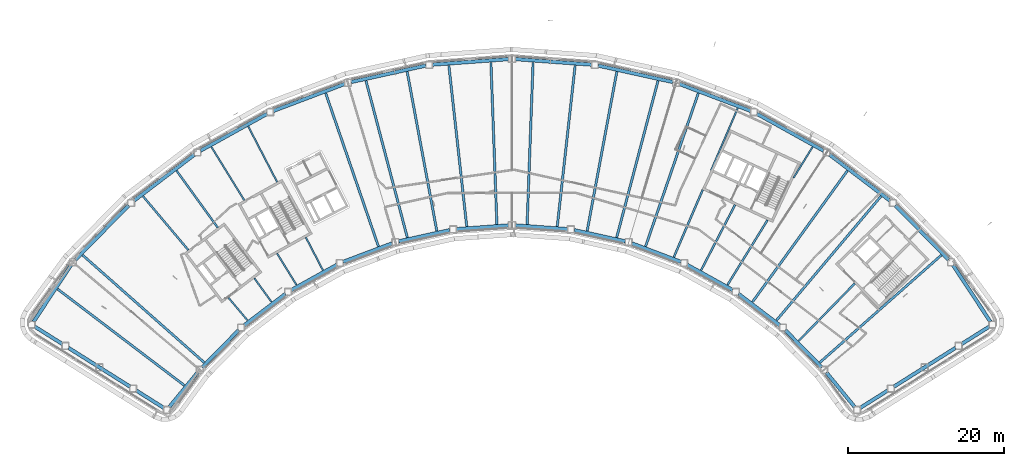
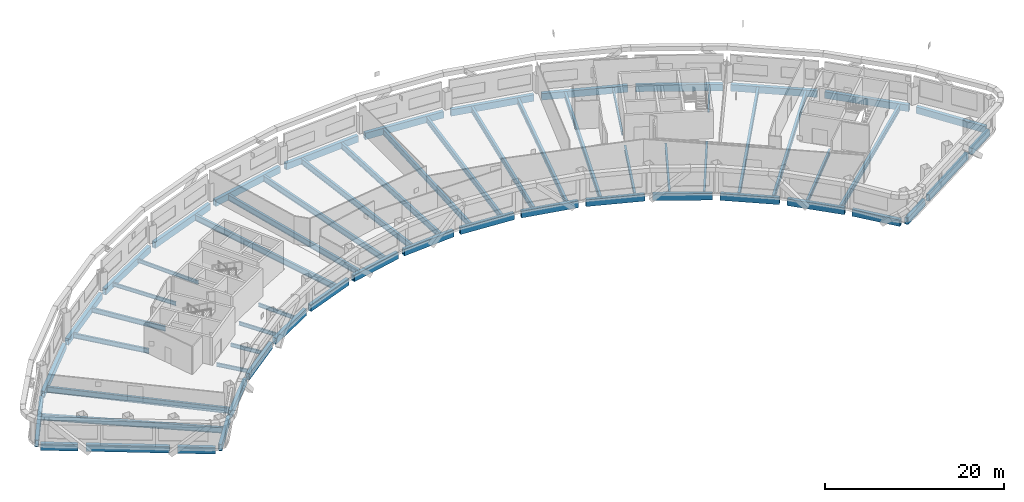
# One storey, part 3 of 20: 63 beams.
"""IFC4 building model written with IfcOpenShell, lengths in metres."""

from ifc_helpers import new_model, si_unit, direction, frame, origin, origin_2d, place, context, subcontext, project, spatial, hollow_rectangle, i_section, extrude, material, material_profile, profile_set, type_object, element, save


model = new_model("IFC4")

# Units and contexts
model_context = context("Model", 3, precision=1e-05, world=origin(), true_north=direction((0.0, 1.0)))
body_context = subcontext(model_context, "Body", "Model", "MODEL_VIEW")
ifc_project = project(units=[si_unit("LENGTHUNIT", "METRE"), si_unit("AREAUNIT", "SQUARE_METRE"), si_unit("VOLUMEUNIT", "CUBIC_METRE"), si_unit("PLANEANGLEUNIT", "RADIAN"), si_unit("MASSUNIT", "GRAM", prefix="KILO")], contexts=[model_context])

# Site, building, storey
site_placement = place(None, origin())
site = spatial("IfcSite", under=ifc_project, at=site_placement, CompositionType="ELEMENT")
building_placement = place(site_placement, origin())
building = spatial("IfcBuilding", under=site, at=building_placement, Name="Tuul Gate Civic Tower", CompositionType="ELEMENT")
storey_placement = place(building_placement, frame((0.0, 0.0, 197.300048828125)))
storey = spatial("IfcBuildingStorey", under=building, at=storey_placement, Name="Level 45", CompositionType="ELEMENT", Elevation=197.300048828125)

# Beams
ifc_material_1 = material(Name="Steel S355", Category="steel")
ifc_material_profile_1 = material_profile(ifc_material_1, i_section(OverallWidth=0.199951171875, OverallDepth=0.5, WebThickness=0.010009765625, FlangeThickness=0.01611328125, at=origin_2d()), Name="PG500x200x10x16")
ifc_profile_set_1 = profile_set([ifc_material_profile_1], Name="Steel S355")
beam_type_1 = type_object("IfcBeamType", Name="STR-FLOOR BEAM-PG500x200x10x16", PredefinedType="BEAM", material=ifc_profile_set_1)
beam_1_placement = place(storey_placement, frame((37.12646484375, -1.677734375, -0.550048828125), z_axis=(0.524844644299, 0.85119803768, 0.0), x_axis=(-0.85119803768, 0.524844644299, 0.0)))
element("IfcBeam", 1, at=beam_1_placement, inside=storey, type_object=beam_type_1, Name="Floor beam", PredefinedType="BEAM", context=body_context, shape_type="SweptSolid", body=[
    extrude(i_section(OverallWidth=0.199951171875, OverallDepth=0.5, WebThickness=0.010009765625, FlangeThickness=0.01611328125, at=origin_2d()), origin(), (0.0, 0.0, 1.0), 4.683837890625),
])
beam_2_placement = place(storey_placement, frame((26.525390625, -0.75048828125, -0.550048828125), z_axis=(0.394205580746, 0.919022284882, 0.0), x_axis=(-0.919022284882, 0.394205580746, 0.0)))
element("IfcBeam", 2, at=beam_2_placement, inside=storey, type_object=beam_type_1, Name="Floor beam", PredefinedType="BEAM", context=body_context, shape_type="SweptSolid", body=[
    extrude(i_section(OverallWidth=0.199951171875, OverallDepth=0.5, WebThickness=0.010009765625, FlangeThickness=0.01611328125, at=origin_2d()), origin(), (0.0, 0.0, 1.0), 8.748046875),
])
beam_3_placement = place(storey_placement, frame((-23.281494140625, -13.532958984375, -0.550048828125), z_axis=(-0.460788847224, 0.887509796157, 0.0), x_axis=(-0.887509796157, -0.460788847224, 0.0)))
element("IfcBeam", 3, at=beam_3_placement, inside=storey, type_object=beam_type_1, Name="Floor beam", PredefinedType="BEAM", context=body_context, shape_type="SweptSolid", body=[
    extrude(i_section(OverallWidth=0.199951171875, OverallDepth=0.5, WebThickness=0.010009765625, FlangeThickness=0.01611328125, at=origin_2d()), origin(), (0.0, 0.0, 1.0), 4.75830078125),
])
beam_4_placement = place(storey_placement, frame((-29.16162109375, -2.207275390625, -0.550048828125), z_axis=(-0.460778504814, 0.887515165787, 0.0), x_axis=(-0.887515165787, -0.460778504814, 0.0)))
element("IfcBeam", 4, at=beam_4_placement, inside=storey, type_object=beam_type_1, Name="Floor beam", PredefinedType="BEAM", context=body_context, shape_type="SweptSolid", body=[
    extrude(i_section(OverallWidth=0.199951171875, OverallDepth=0.5, WebThickness=0.010009765625, FlangeThickness=0.01611328125, at=origin_2d()), origin(), (0.0, 0.0, 1.0), 8.046630859375),
])
beam_5_placement = place(storey_placement, frame((-26.676513671875, -15.414306640625, -0.550048828125), z_axis=(-0.524841029393, 0.851200266603, 0.0), x_axis=(-0.851200266603, -0.524841029393, 0.0)))
element("IfcBeam", 5, at=beam_5_placement, inside=storey, type_object=beam_type_1, Name="Floor beam", PredefinedType="BEAM", context=body_context, shape_type="SweptSolid", body=[
    extrude(i_section(OverallWidth=0.199951171875, OverallDepth=0.5, WebThickness=0.010009765625, FlangeThickness=0.01611328125, at=origin_2d()), origin(), (0.0, 0.0, 1.0), 4.761474609375),
])
beam_6_placement = place(storey_placement, frame((-33.378662109375, -4.544677734375, -0.550048828125), z_axis=(-0.52487369229, 0.851180126143, 0.0), x_axis=(-0.851180126143, -0.52487369229, 0.0)))
element("IfcBeam", 6, at=beam_6_placement, inside=storey, type_object=beam_type_1, Name="Floor beam", PredefinedType="BEAM", context=body_context, shape_type="SweptSolid", body=[
    extrude(i_section(OverallWidth=0.199951171875, OverallDepth=0.5, WebThickness=0.010009765625, FlangeThickness=0.01611328125, at=origin_2d()), origin(), (0.0, 0.0, 1.0), 8.052001953125),
])
beam_7_placement = place(storey_placement, frame((-29.880126953125, -17.60546875, -0.550048828125), z_axis=(-0.586071028006, 0.810259680678, 0.0), x_axis=(-0.810259680678, -0.586071028006, 0.0)))
element("IfcBeam", 7, at=beam_7_placement, inside=storey, type_object=beam_type_1, Name="Floor beam", PredefinedType="BEAM", context=body_context, shape_type="SweptSolid", body=[
    extrude(i_section(OverallWidth=0.199951171875, OverallDepth=0.5, WebThickness=0.010009765625, FlangeThickness=0.01611328125, at=origin_2d()), origin(), (0.0, 0.0, 1.0), 3.776611328125),
])
beam_8_placement = place(storey_placement, frame((-32.96826171875, -19.95703125, -0.550048828125), z_axis=(-0.644139723265, 0.764907848641, 0.0), x_axis=(-0.764907848641, -0.644139723265, 0.0)))
element("IfcBeam", 8, at=beam_8_placement, inside=storey, type_object=beam_type_1, Name="Floor beam", PredefinedType="BEAM", context=body_context, shape_type="SweptSolid", body=[
    extrude(i_section(OverallWidth=0.199951171875, OverallDepth=0.5, WebThickness=0.010009765625, FlangeThickness=0.01611328125, at=origin_2d()), origin(), (0.0, 0.0, 1.0), 3.7802734375),
])
ifc_material_2 = material(Name="Steel S355", Category="steel")
ifc_material_profile_2 = material_profile(ifc_material_2, i_section(OverallWidth=0.25, OverallDepth=0.64990234375, WebThickness=0.011962890625, FlangeThickness=0.02001953125, at=origin_2d()), Name="PG650x250x12x20")
ifc_profile_set_2 = profile_set([ifc_material_profile_2], Name="Steel S355")
beam_type_2 = type_object("IfcBeamType", Name="STR-FLOOR BEAM-PG650x250x12x20", PredefinedType="BEAM", material=ifc_profile_set_2)
beam_9_placement = place(storey_placement, frame((37.78857421875, -22.6025390625, -0.625), z_axis=(0.698688167973, 0.715426337182, 0.0), x_axis=(-0.715426337182, 0.698688167973, 0.0)))
element("IfcBeam", 9, at=beam_9_placement, inside=storey, type_object=beam_type_2, Name="Floor beam", PredefinedType="BEAM", context=body_context, shape_type="SweptSolid", body=[
    extrude(i_section(OverallWidth=0.25, OverallDepth=0.64990234375, WebThickness=0.011962890625, FlangeThickness=0.02001953125, at=origin_2d()), origin(), (0.0, 0.0, 1.0), 10.297607421875),
])
beam_10_placement = place(storey_placement, frame((28.656005859375, -15.41455078125, -0.625), z_axis=(0.524868843882, 0.851183115858, 0.0), x_axis=(-0.851183115858, 0.524868843882, 0.0)))
element("IfcBeam", 10, at=beam_10_placement, inside=storey, type_object=beam_type_2, Name="Floor beam", PredefinedType="BEAM", context=body_context, shape_type="SweptSolid", body=[
    extrude(i_section(OverallWidth=0.25, OverallDepth=0.64990234375, WebThickness=0.011962890625, FlangeThickness=0.02001953125, at=origin_2d()), origin(), (0.0, 0.0, 1.0), 9.79736328125),
])
beam_11_placement = place(storey_placement, frame((25.261474609375, -13.532958984375, -0.625), z_axis=(0.460764890878, 0.887522233713, 0.0), x_axis=(-0.887522233713, 0.460764890878, 0.0)))
element("IfcBeam", 11, at=beam_11_placement, inside=storey, type_object=beam_type_2, Name="Floor beam", PredefinedType="BEAM", context=body_context, shape_type="SweptSolid", body=[
    extrude(i_section(OverallWidth=0.25, OverallDepth=0.64990234375, WebThickness=0.011962890625, FlangeThickness=0.02001953125, at=origin_2d()), origin(), (0.0, 0.0, 1.0), 9.46923828125),
])
beam_12_placement = place(storey_placement, frame((21.7666015625, -11.84521484375, -0.625), z_axis=(0.394179109601, 0.919033638968, 0.0), x_axis=(-0.919033638968, 0.394179109601, 0.0)))
element("IfcBeam", 12, at=beam_12_placement, inside=storey, type_object=beam_type_2, Name="Floor beam", PredefinedType="BEAM", context=body_context, shape_type="SweptSolid", body=[
    extrude(i_section(OverallWidth=0.25, OverallDepth=0.64990234375, WebThickness=0.011962890625, FlangeThickness=0.02001953125, at=origin_2d()), origin(), (0.0, 0.0, 1.0), 9.41259765625),
])
beam_13_placement = place(storey_placement, frame((-36.783447265625, -8.061767578125, -0.625), z_axis=(-0.586088809685, 0.810246818668, 0.0), x_axis=(-0.810246818668, -0.586088809685, 0.0)))
element("IfcBeam", 13, at=beam_13_placement, inside=storey, type_object=beam_type_2, Name="Floor beam", PredefinedType="BEAM", context=body_context, shape_type="SweptSolid", body=[
    extrude(i_section(OverallWidth=0.25, OverallDepth=0.64990234375, WebThickness=0.011962890625, FlangeThickness=0.02001953125, at=origin_2d()), origin(), (0.0, 0.0, 1.0), 9.02685546875),
])
beam_14_placement = place(storey_placement, frame((-40.5625, -10.93896484375, -0.625), z_axis=(-0.644130753202, 0.764915402368, 0.0), x_axis=(-0.764915402368, -0.644130753202, 0.0)))
element("IfcBeam", 14, at=beam_14_placement, inside=storey, type_object=beam_type_2, Name="Floor beam", PredefinedType="BEAM", context=body_context, shape_type="SweptSolid", body=[
    extrude(i_section(OverallWidth=0.25, OverallDepth=0.64990234375, WebThickness=0.011962890625, FlangeThickness=0.02001953125, at=origin_2d()), origin(), (0.0, 0.0, 1.0), 9.03515625),
])
ifc_material_3 = material(Name="Steel S355", Category="steel")
ifc_material_profile_3 = material_profile(ifc_material_3, i_section(OverallWidth=0.300048828125, OverallDepth=0.800048828125, WebThickness=0.013916015625, FlangeThickness=0.02490234375, at=origin_2d()), Name="PG800x300x14x25")
ifc_profile_set_3 = profile_set([ifc_material_profile_3], Name="Steel S355")
beam_type_3 = type_object("IfcBeamType", Name="STR-FLOOR BEAM-PG800x300x14x25", PredefinedType="BEAM", material=ifc_profile_set_3)
beam_15_placement = place(storey_placement, frame((40.505615234375, -25.375, -0.699951171875), z_axis=(0.749453243269, 0.662057275584, 0.0), x_axis=(-0.662057275584, 0.749453243269, 0.0)))
element("IfcBeam", 15, at=beam_15_placement, inside=storey, type_object=beam_type_3, Name="Floor beam", PredefinedType="BEAM", context=body_context, shape_type="SweptSolid", body=[
    extrude(i_section(OverallWidth=0.300048828125, OverallDepth=0.800048828125, WebThickness=0.013916015625, FlangeThickness=0.02490234375, at=origin_2d()), origin(), (0.0, 0.0, 1.0), 20.828369140625),
])
beam_16_placement = place(storey_placement, frame((34.9482421875, -19.95703125, -0.699951171875), z_axis=(0.644134662718, 0.76491211017, 0.0), x_axis=(-0.76491211017, 0.644134662718, 0.0)))
element("IfcBeam", 16, at=beam_16_placement, inside=storey, type_object=beam_type_3, Name="Floor beam", PredefinedType="BEAM", context=body_context, shape_type="SweptSolid", body=[
    extrude(i_section(OverallWidth=0.300048828125, OverallDepth=0.800048828125, WebThickness=0.013916015625, FlangeThickness=0.02490234375, at=origin_2d()), origin(), (0.0, 0.0, 1.0), 20.824462890625),
])
beam_17_placement = place(storey_placement, frame((31.859619140625, -17.605712890625, -0.699951171875), z_axis=(0.586088482084, 0.810247055637, 0.0), x_axis=(-0.810247055637, 0.586088482084, 0.0)))
element("IfcBeam", 17, at=beam_17_placement, inside=storey, type_object=beam_type_3, Name="Floor beam", PredefinedType="BEAM", context=body_context, shape_type="SweptSolid", body=[
    extrude(i_section(OverallWidth=0.300048828125, OverallDepth=0.800048828125, WebThickness=0.013916015625, FlangeThickness=0.02490234375, at=origin_2d()), origin(), (0.0, 0.0, 1.0), 20.805908203125),
])
beam_18_placement = place(storey_placement, frame((18.13623046875, -10.472412109375, -0.699951171875), z_axis=(0.325483363772, 0.945547767121, 0.0), x_axis=(-0.945547767121, 0.325483363772, 0.0)))
element("IfcBeam", 18, at=beam_18_placement, inside=storey, type_object=beam_type_3, Name="Floor beam", PredefinedType="BEAM", context=body_context, shape_type="SweptSolid", body=[
    extrude(i_section(OverallWidth=0.300048828125, OverallDepth=0.800048828125, WebThickness=0.013916015625, FlangeThickness=0.02490234375, at=origin_2d()), origin(), (0.0, 0.0, 1.0), 20.8095703125),
])
beam_19_placement = place(storey_placement, frame((14.428466796875, -9.325927734375, -0.699951171875), z_axis=(0.255004720301, 0.96693980817, 0.0), x_axis=(-0.96693980817, 0.255004720301, 0.0)))
element("IfcBeam", 19, at=beam_19_placement, inside=storey, type_object=beam_type_3, Name="Floor beam", PredefinedType="BEAM", context=body_context, shape_type="SweptSolid", body=[
    extrude(i_section(OverallWidth=0.300048828125, OverallDepth=0.800048828125, WebThickness=0.013916015625, FlangeThickness=0.02490234375, at=origin_2d()), origin(), (0.0, 0.0, 1.0), 20.817626953125),
])
beam_20_placement = place(storey_placement, frame((10.638427734375, -8.49072265625, -0.699951171875), z_axis=(0.183147342328, 0.98308547492, 0.0), x_axis=(-0.98308547492, 0.183147342328, 0.0)))
element("IfcBeam", 20, at=beam_20_placement, inside=storey, type_object=beam_type_3, Name="Floor beam", PredefinedType="BEAM", context=body_context, shape_type="SweptSolid", body=[
    extrude(i_section(OverallWidth=0.300048828125, OverallDepth=0.800048828125, WebThickness=0.013916015625, FlangeThickness=0.02490234375, at=origin_2d()), origin(), (0.0, 0.0, 1.0), 20.811279296875),
])
beam_21_placement = place(storey_placement, frame((6.80126953125, -7.91064453125, -0.699951171875), z_axis=(0.1102757583, 0.993901029847, 0.0), x_axis=(-0.993901029847, 0.1102757583, 0.0)))
element("IfcBeam", 21, at=beam_21_placement, inside=storey, type_object=beam_type_3, Name="Floor beam", PredefinedType="BEAM", context=body_context, shape_type="SweptSolid", body=[
    extrude(i_section(OverallWidth=0.300048828125, OverallDepth=0.800048828125, WebThickness=0.013916015625, FlangeThickness=0.02490234375, at=origin_2d()), origin(), (0.0, 0.0, 1.0), 20.815185546875),
])
for number, where, z_axis, x_axis, name in (
    (22, (2.930419921875, -7.630126953125, -0.699951171875), (0.036820332995, 0.99932190163, 0.0), (-0.99932190163, 0.036820332995, 0.0), "Floor beam"),
    (23, (-0.950439453125, -7.630126953125, -0.699951171875), (-0.036832047042, 0.999321469954, 0.0), (-0.999321469954, -0.036832047042, 0.0), "Floor beam"),
):
    element("IfcBeam", number, at=place(storey_placement, frame(where, z_axis=z_axis, x_axis=x_axis)), inside=storey, type_object=beam_type_3, Name=name, PredefinedType="BEAM", context=body_context, shape_type="SweptSolid", body=[
        extrude(i_section(OverallWidth=0.300048828125, OverallDepth=0.800048828125, WebThickness=0.013916015625, FlangeThickness=0.02490234375, at=origin_2d()), origin(), (0.0, 0.0, 1.0), 20.8134765625),
    ])
beam_22_placement = place(storey_placement, frame((-4.8212890625, -7.91064453125, -0.699951171875), z_axis=(-0.110287344613, 0.993899744249, 0.0), x_axis=(-0.993899744249, -0.110287344613, 0.0)))
element("IfcBeam", 24, at=beam_22_placement, inside=storey, type_object=beam_type_3, Name="Floor beam", PredefinedType="BEAM", context=body_context, shape_type="SweptSolid", body=[
    extrude(i_section(OverallWidth=0.300048828125, OverallDepth=0.800048828125, WebThickness=0.013916015625, FlangeThickness=0.02490234375, at=origin_2d()), origin(), (0.0, 0.0, 1.0), 20.815185546875),
])
beam_23_placement = place(storey_placement, frame((-8.658447265625, -8.49072265625, -0.699951171875), z_axis=(-0.183145230157, 0.983085868412, 0.0), x_axis=(-0.983085868412, -0.183145230157, 0.0)))
element("IfcBeam", 25, at=beam_23_placement, inside=storey, type_object=beam_type_3, Name="Floor beam", PredefinedType="BEAM", context=body_context, shape_type="SweptSolid", body=[
    extrude(i_section(OverallWidth=0.300048828125, OverallDepth=0.800048828125, WebThickness=0.013916015625, FlangeThickness=0.02490234375, at=origin_2d()), origin(), (0.0, 0.0, 1.0), 20.8115234375),
])
beam_24_placement = place(storey_placement, frame((-12.44873046875, -9.325927734375, -0.699951171875), z_axis=(-0.255004720301, 0.96693980817, 0.0), x_axis=(-0.96693980817, -0.255004720301, 0.0)))
element("IfcBeam", 26, at=beam_24_placement, inside=storey, type_object=beam_type_3, Name="Floor beam", PredefinedType="BEAM", context=body_context, shape_type="SweptSolid", body=[
    extrude(i_section(OverallWidth=0.300048828125, OverallDepth=0.800048828125, WebThickness=0.013916015625, FlangeThickness=0.02490234375, at=origin_2d()), origin(), (0.0, 0.0, 1.0), 20.817626953125),
])
beam_25_placement = place(storey_placement, frame((-16.15625, -10.47265625, -0.699951171875), z_axis=(-0.325493852911, 0.945544156408, 0.0), x_axis=(-0.945544156408, -0.325493852911, 0.0)))
element("IfcBeam", 27, at=beam_25_placement, inside=storey, type_object=beam_type_3, Name="Floor beam", PredefinedType="BEAM", context=body_context, shape_type="SweptSolid", body=[
    extrude(i_section(OverallWidth=0.300048828125, OverallDepth=0.800048828125, WebThickness=0.013916015625, FlangeThickness=0.02490234375, at=origin_2d()), origin(), (0.0, 0.0, 1.0), 20.809814453125),
])
beam_26_placement = place(storey_placement, frame((-38.525634765625, -25.375, -0.699951171875), z_axis=(-0.749453243269, 0.662057275584, 0.0), x_axis=(-0.662057275584, -0.749453243269, 0.0)))
element("IfcBeam", 28, at=beam_26_placement, inside=storey, type_object=beam_type_3, Name="Floor beam", PredefinedType="BEAM", context=body_context, shape_type="SweptSolid", body=[
    extrude(i_section(OverallWidth=0.300048828125, OverallDepth=0.800048828125, WebThickness=0.013916015625, FlangeThickness=0.02490234375, at=origin_2d()), origin(), (0.0, 0.0, 1.0), 20.828369140625),
])
beam_27_placement = place(storey_placement, frame((-41.064697265625, -28.31982421875, -0.699951171875), z_axis=(-0.796156676215, 0.60509052787, 0.0), x_axis=(-0.60509052787, -0.796156676215, 0.0)))
element("IfcBeam", 29, at=beam_27_placement, inside=storey, type_object=beam_type_3, Name="Floor beam", PredefinedType="BEAM", context=body_context, shape_type="SweptSolid", body=[
    extrude(i_section(OverallWidth=0.300048828125, OverallDepth=0.800048828125, WebThickness=0.013916015625, FlangeThickness=0.02490234375, at=origin_2d()), origin(), (0.0, 0.0, 1.0), 20.46240234375),
])
ifc_material_4 = material(Name="Steel S355", Category="steel")
ifc_material_profile_4 = material_profile(ifc_material_4, hollow_rectangle(XDim=0.449951171875, YDim=0.89990234375, WallThickness=0.02490234375, at=origin_2d()), Name="BOX900x450x25")
ifc_profile_set_4 = profile_set([ifc_material_profile_4], Name="Steel S355")
beam_type_4 = type_object("IfcBeamType", Name="STR-SPANDREL BEAM-BOX900x450x25", PredefinedType="BEAM", material=ifc_profile_set_4)
beam_28_placement = place(storey_placement, frame((62.412841796875, -20.1376953125, -0.75), z_axis=(-0.551603333342, 0.834106565521, 0.0), x_axis=(-0.834106565521, -0.551603333342, 0.0)))
element("IfcBeam", 30, at=beam_28_placement, inside=storey, type_object=beam_type_4, Name="Spandrel beam", PredefinedType="BEAM", context=body_context, shape_type="SweptSolid", body=[
    extrude(hollow_rectangle(XDim=0.449951171875, YDim=0.89990234375, WallThickness=0.02490234375, at=origin_2d()), origin(), (0.0, 0.0, 1.0), 8.706787109375),
])
beam_29_placement = place(storey_placement, frame((57.046875, -12.1787109375, -0.75), z_axis=(-0.700043201451, 0.7141004944, 0.0), x_axis=(-0.7141004944, -0.700043201451, 0.0)))
element("IfcBeam", 31, at=beam_29_placement, inside=storey, type_object=beam_type_4, Name="Spandrel beam", PredefinedType="BEAM", context=body_context, shape_type="SweptSolid", body=[
    extrude(hollow_rectangle(XDim=0.449951171875, YDim=0.89990234375, WallThickness=0.02490234375, at=origin_2d()), origin(), (0.0, 0.0, 1.0), 9.77783203125),
])
for number, where, z_axis, x_axis, name in (
    (32, (49.529052734375, -4.602294921875, -0.75), (-0.795643188576, 0.605765562303, 0.0), (-0.605765562303, -0.795643188576, 0.0), "Spandrel beam"),
    (33, (40.99853515625, 1.811279296875, -0.75), (-0.874595083596, 0.484854039634, 0.0), (-0.484854039634, -0.874595083596, 0.0), "Spandrel beam"),
):
    element("IfcBeam", number, at=place(storey_placement, frame(where, z_axis=z_axis, x_axis=x_axis)), inside=storey, type_object=beam_type_4, Name=name, PredefinedType="BEAM", context=body_context, shape_type="SweptSolid", body=[
        extrude(hollow_rectangle(XDim=0.449951171875, YDim=0.89990234375, WallThickness=0.02490234375, at=origin_2d()), origin(), (0.0, 0.0, 1.0), 9.777099609375),
    ])
beam_30_placement = place(storey_placement, frame((31.633056640625, 6.92919921875, -0.75), z_axis=(-0.935371339929, 0.353667154878, 0.0), x_axis=(-0.353667154878, -0.935371339929, 0.0)))
element("IfcBeam", 34, at=beam_30_placement, inside=storey, type_object=beam_type_4, Name="Spandrel beam", PredefinedType="BEAM", context=body_context, shape_type="SweptSolid", body=[
    extrude(hollow_rectangle(XDim=0.449951171875, YDim=0.89990234375, WallThickness=0.02490234375, at=origin_2d()), origin(), (0.0, 0.0, 1.0), 9.77685546875),
])
beam_31_placement = place(storey_placement, frame((21.62744140625, 10.642822265625, -0.75), z_axis=(-0.976570324129, 0.215198517722, 0.0), x_axis=(-0.215198517722, -0.976570324129, 0.0)))
element("IfcBeam", 35, at=beam_31_placement, inside=storey, type_object=beam_type_4, Name="Spandrel beam", PredefinedType="BEAM", context=body_context, shape_type="SweptSolid", body=[
    extrude(hollow_rectangle(XDim=0.449951171875, YDim=0.89990234375, WallThickness=0.02490234375, at=origin_2d()), origin(), (0.0, 0.0, 1.0), 9.778076171875),
])
beam_32_placement = place(storey_placement, frame((11.190185546875, 12.87646484375, -0.75), z_axis=(-0.997381821188, 0.07231530104, 0.0), x_axis=(-0.07231530104, -0.997381821188, 0.0)))
element("IfcBeam", 36, at=beam_32_placement, inside=storey, type_object=beam_type_4, Name="Spandrel beam", PredefinedType="BEAM", context=body_context, shape_type="SweptSolid", body=[
    extrude(hollow_rectangle(XDim=0.449951171875, YDim=0.89990234375, WallThickness=0.02490234375, at=origin_2d()), origin(), (0.0, 0.0, 1.0), 9.777099609375),
])
beam_33_placement = place(storey_placement, frame((0.541259765625, 13.58349609375, -0.75), z_axis=(-0.997382343448, -0.072308097597, 0.0), x_axis=(0.072308097597, -0.997382343448, 0.0)))
element("IfcBeam", 37, at=beam_33_placement, inside=storey, type_object=beam_type_4, Name="Spandrel beam", PredefinedType="BEAM", context=body_context, shape_type="SweptSolid", body=[
    extrude(hollow_rectangle(XDim=0.449951171875, YDim=0.89990234375, WallThickness=0.02490234375, at=origin_2d()), origin(), (0.0, 0.0, 1.0), 9.778076171875),
])
for number, where, z_axis, x_axis, name in (
    (38, (-10.099365234375, 12.7470703125, -0.75), (-0.976565698355, -0.215219508403, 0.0), (0.215219508403, -0.976565698355, 0.0), "Spandrel beam"),
    (39, (-20.5078125, 10.386962890625, -0.75), (-0.935374463229, -0.35365889433, 0.0), (0.35365889433, -0.935374463229, 0.0), "Spandrel beam"),
    (40, (-30.467529296875, 6.5517578125, -0.75), (-0.874595083596, -0.484854039634, 0.0), (0.484854039634, -0.874595083596, 0.0), "Spandrel beam"),
):
    element("IfcBeam", number, at=place(storey_placement, frame(where, z_axis=z_axis, x_axis=x_axis)), inside=storey, type_object=beam_type_4, Name=name, PredefinedType="BEAM", context=body_context, shape_type="SweptSolid", body=[
        extrude(hollow_rectangle(XDim=0.449951171875, YDim=0.89990234375, WallThickness=0.02490234375, at=origin_2d()), origin(), (0.0, 0.0, 1.0), 9.777099609375),
    ])
beam_34_placement = place(storey_placement, frame((-39.77001953125, 1.3203125, -0.75), z_axis=(-0.795667802621, -0.605733231606, 0.0), x_axis=(0.605733231606, -0.795667802621, 0.0)))
element("IfcBeam", 41, at=beam_34_placement, inside=storey, type_object=beam_type_4, Name="Spandrel beam", PredefinedType="BEAM", context=body_context, shape_type="SweptSolid", body=[
    extrude(hollow_rectangle(XDim=0.449951171875, YDim=0.89990234375, WallThickness=0.02490234375, at=origin_2d()), origin(), (0.0, 0.0, 1.0), 9.778076171875),
])
beam_35_placement = place(storey_placement, frame((-48.222900390625, -5.1962890625, -0.75), z_axis=(-0.699992266311, -0.714150423304, 0.0), x_axis=(0.714150423304, -0.699992266311, 0.0)))
element("IfcBeam", 42, at=beam_35_placement, inside=storey, type_object=beam_type_4, Name="Spandrel beam", PredefinedType="BEAM", context=body_context, shape_type="SweptSolid", body=[
    extrude(hollow_rectangle(XDim=0.449951171875, YDim=0.89990234375, WallThickness=0.02490234375, at=origin_2d()), origin(), (0.0, 0.0, 1.0), 9.77734375),
])
beam_36_placement = place(storey_placement, frame((-55.630126953125, -12.875244140625, -0.75), z_axis=(-0.551603333342, -0.834106565521, 0.0), x_axis=(0.834106565521, -0.551603333342, 0.0)))
element("IfcBeam", 43, at=beam_36_placement, inside=storey, type_object=beam_type_4, Name="Spandrel beam", PredefinedType="BEAM", context=body_context, shape_type="SweptSolid", body=[
    extrude(hollow_rectangle(XDim=0.449951171875, YDim=0.89990234375, WallThickness=0.02490234375, at=origin_2d()), origin(), (0.0, 0.0, 1.0), 8.706787109375),
])
beam_37_placement = place(storey_placement, frame((-60.30029296875, -20.752685546875, -0.75), z_axis=(0.846210678029, -0.53284846663, 0.0), x_axis=(0.53284846663, 0.846210678029, 0.0)))
element("IfcBeam", 44, at=beam_37_placement, inside=storey, type_object=beam_type_4, Name="Spandrel beam", PredefinedType="BEAM", context=body_context, shape_type="SweptSolid", body=[
    extrude(hollow_rectangle(XDim=0.449951171875, YDim=0.89990234375, WallThickness=0.02490234375, at=origin_2d()), origin(), (0.0, 0.0, 1.0), 4.231201171875),
])
beam_38_placement = place(storey_placement, frame((-55.958251953125, -23.48681640625, -0.75), z_axis=(0.846197569515, -0.532869283545, 0.0), x_axis=(0.532869283545, 0.846197569515, 0.0)))
element("IfcBeam", 45, at=beam_38_placement, inside=storey, type_object=beam_type_4, Name="Spandrel beam", PredefinedType="BEAM", context=body_context, shape_type="SweptSolid", body=[
    extrude(hollow_rectangle(XDim=0.449951171875, YDim=0.89990234375, WallThickness=0.02490234375, at=origin_2d()), origin(), (0.0, 0.0, 1.0), 9.363525390625),
])
beam_39_placement = place(storey_placement, frame((-47.273193359375, -28.955810546875, -0.75), z_axis=(0.846181780982, -0.532894354947, 0.0), x_axis=(0.532894354947, 0.846181780982, 0.0)))
element("IfcBeam", 46, at=beam_39_placement, inside=storey, type_object=beam_type_4, Name="Spandrel beam", PredefinedType="BEAM", context=body_context, shape_type="SweptSolid", body=[
    extrude(hollow_rectangle(XDim=0.449951171875, YDim=0.89990234375, WallThickness=0.02490234375, at=origin_2d()), origin(), (0.0, 0.0, 1.0), 4.232421875),
])
beam_40_placement = place(storey_placement, frame((-43.025634765625, -31.10302734375, -0.75), z_axis=(0.63441351957, 0.772993846151, 0.0), x_axis=(-0.772993846151, 0.63441351957, 0.0)))
element("IfcBeam", 47, at=beam_40_placement, inside=storey, type_object=beam_type_4, Name="Spandrel beam", PredefinedType="BEAM", context=body_context, shape_type="SweptSolid", body=[
    extrude(hollow_rectangle(XDim=0.449951171875, YDim=0.89990234375, WallThickness=0.02490234375, at=origin_2d()), origin(), (0.0, 0.0, 1.0), 5.751953125),
])
beam_41_placement = place(storey_placement, frame((-38.776123046875, -25.987548828125, -0.75), z_axis=(0.699975106634, 0.714167242383, 0.0), x_axis=(-0.714167242383, 0.699975106634, 0.0)))
element("IfcBeam", 48, at=beam_41_placement, inside=storey, type_object=beam_type_4, Name="Spandrel beam", PredefinedType="BEAM", context=body_context, shape_type="SweptSolid", body=[
    extrude(hollow_rectangle(XDim=0.449951171875, YDim=0.89990234375, WallThickness=0.02490234375, at=origin_2d()), origin(), (0.0, 0.0, 1.0), 6.69189453125),
])
for number, where, z_axis, x_axis, name in (
    (49, (-33.4189453125, -20.614501953125, -0.75), (0.795605051583, 0.605815650091, 0.0), (-0.605815650091, 0.795605051583, 0.0), "Spandrel beam"),
    (50, (-27.343505859375, -16.06982421875, -0.75), (0.87466619377, 0.48472574666, 0.0), (-0.48472574666, 0.87466619377, 0.0), "Spandrel beam"),
):
    element("IfcBeam", number, at=place(storey_placement, frame(where, z_axis=z_axis, x_axis=x_axis)), inside=storey, type_object=beam_type_4, Name=name, PredefinedType="BEAM", context=body_context, shape_type="SweptSolid", body=[
        extrude(hollow_rectangle(XDim=0.449951171875, YDim=0.89990234375, WallThickness=0.02490234375, at=origin_2d()), origin(), (0.0, 0.0, 1.0), 6.691650390625),
    ])
beam_42_placement = place(storey_placement, frame((-20.676025390625, -12.44873046875, -0.75), z_axis=(0.935376636167, 0.353653147184, 0.0), x_axis=(-0.353653147184, 0.935376636167, 0.0)))
element("IfcBeam", 51, at=beam_42_placement, inside=storey, type_object=beam_type_4, Name="Spandrel beam", PredefinedType="BEAM", context=body_context, shape_type="SweptSolid", body=[
    extrude(hollow_rectangle(XDim=0.449951171875, YDim=0.89990234375, WallThickness=0.02490234375, at=origin_2d()), origin(), (0.0, 0.0, 1.0), 6.69140625),
])
beam_43_placement = place(storey_placement, frame((-13.556640625, -9.826171875, -0.75), z_axis=(0.976559873442, 0.215245937437, 0.0), x_axis=(-0.215245937437, 0.976559873442, 0.0)))
element("IfcBeam", 52, at=beam_43_placement, inside=storey, type_object=beam_type_4, Name="Spandrel beam", PredefinedType="BEAM", context=body_context, shape_type="SweptSolid", body=[
    extrude(hollow_rectangle(XDim=0.449951171875, YDim=0.89990234375, WallThickness=0.02490234375, at=origin_2d()), origin(), (0.0, 0.0, 1.0), 6.692138671875),
])
beam_44_placement = place(storey_placement, frame((-6.133056640625, -8.25634765625, -0.75), z_axis=(0.997382203544, 0.07231002734, 0.0), x_axis=(-0.07231002734, 0.997382203544, 0.0)))
element("IfcBeam", 53, at=beam_44_placement, inside=storey, type_object=beam_type_4, Name="Spandrel beam", PredefinedType="BEAM", context=body_context, shape_type="SweptSolid", body=[
    extrude(hollow_rectangle(XDim=0.449951171875, YDim=0.89990234375, WallThickness=0.02490234375, at=origin_2d()), origin(), (0.0, 0.0, 1.0), 6.69189453125),
])
for number, where, z_axis, x_axis, name in (
    (54, (1.438720703125, -7.7724609375, -0.75), (0.997382394296, -0.072307396229, 0.0), (0.072307396229, 0.997382394296, 0.0), "Spandrel beam"),
    (55, (9.00146484375, -8.3857421875, -0.75), (0.976559873442, -0.215245937437, 0.0), (0.215245937437, 0.976559873442, 0.0), "Spandrel beam"),
):
    element("IfcBeam", number, at=place(storey_placement, frame(where, z_axis=z_axis, x_axis=x_axis)), inside=storey, type_object=beam_type_4, Name=name, PredefinedType="BEAM", context=body_context, shape_type="SweptSolid", body=[
        extrude(hollow_rectangle(XDim=0.449951171875, YDim=0.89990234375, WallThickness=0.02490234375, at=origin_2d()), origin(), (0.0, 0.0, 1.0), 6.692138671875),
    ])
beam_45_placement = place(storey_placement, frame((16.39697265625, -10.082275390625, -0.75), z_axis=(0.935376636167, -0.353653147184, 0.0), x_axis=(0.353653147184, 0.935376636167, 0.0)))
element("IfcBeam", 56, at=beam_45_placement, inside=storey, type_object=beam_type_4, Name="Spandrel beam", PredefinedType="BEAM", context=body_context, shape_type="SweptSolid", body=[
    extrude(hollow_rectangle(XDim=0.449951171875, YDim=0.89990234375, WallThickness=0.02490234375, at=origin_2d()), origin(), (0.0, 0.0, 1.0), 6.69140625),
])
beam_46_placement = place(storey_placement, frame((23.470458984375, -12.826171875, -0.75), z_axis=(0.874631898268, -0.484787626216, 0.0), x_axis=(0.484787626216, 0.874631898268, 0.0)))
element("IfcBeam", 57, at=beam_46_placement, inside=storey, type_object=beam_type_4, Name="Spandrel beam", PredefinedType="BEAM", context=body_context, shape_type="SweptSolid", body=[
    extrude(hollow_rectangle(XDim=0.449951171875, YDim=0.89990234375, WallThickness=0.02490234375, at=origin_2d()), origin(), (0.0, 0.0, 1.0), 6.69091796875),
])
beam_47_placement = place(storey_placement, frame((30.073974609375, -16.560546875, -0.75), z_axis=(0.795658602504, -0.605745316335, 0.0), x_axis=(0.605745316335, 0.795658602504, 0.0)))
element("IfcBeam", 58, at=beam_47_placement, inside=storey, type_object=beam_type_4, Name="Spandrel beam", PredefinedType="BEAM", context=body_context, shape_type="SweptSolid", body=[
    extrude(hollow_rectangle(XDim=0.449951171875, YDim=0.89990234375, WallThickness=0.02490234375, at=origin_2d()), origin(), (0.0, 0.0, 1.0), 6.692626953125),
])
beam_48_placement = place(storey_placement, frame((36.072021484375, -21.20849609375, -0.75), z_axis=(0.699975106634, -0.714167242383, 0.0), x_axis=(0.714167242383, 0.699975106634, 0.0)))
element("IfcBeam", 59, at=beam_48_placement, inside=storey, type_object=beam_type_4, Name="Spandrel beam", PredefinedType="BEAM", context=body_context, shape_type="SweptSolid", body=[
    extrude(hollow_rectangle(XDim=0.449951171875, YDim=0.89990234375, WallThickness=0.02490234375, at=origin_2d()), origin(), (0.0, 0.0, 1.0), 6.69189453125),
])
beam_49_placement = place(storey_placement, frame((41.3564453125, -26.65673828125, -0.75), z_axis=(0.63441351957, -0.772993846151, 0.0), x_axis=(0.772993846151, 0.63441351957, 0.0)))
element("IfcBeam", 60, at=beam_49_placement, inside=storey, type_object=beam_type_4, Name="Spandrel beam", PredefinedType="BEAM", context=body_context, shape_type="SweptSolid", body=[
    extrude(hollow_rectangle(XDim=0.449951171875, YDim=0.89990234375, WallThickness=0.02490234375, at=origin_2d()), origin(), (0.0, 0.0, 1.0), 5.751953125),
])
beam_50_placement = place(storey_placement, frame((45.671875, -31.211181640625, -0.75), z_axis=(0.846116237034, 0.532998417847, 0.0), x_axis=(-0.532998417847, 0.846116237034, 0.0)))
element("IfcBeam", 61, at=beam_50_placement, inside=storey, type_object=beam_type_4, Name="Spandrel beam", PredefinedType="BEAM", context=body_context, shape_type="SweptSolid", body=[
    extrude(hollow_rectangle(XDim=0.449951171875, YDim=0.89990234375, WallThickness=0.02490234375, at=origin_2d()), origin(), (0.0, 0.0, 1.0), 4.2314453125),
])
beam_51_placement = place(storey_placement, frame((50.013671875, -28.476318359375, -0.75), z_axis=(0.846204972904, 0.532857526767, 0.0), x_axis=(-0.532857526767, 0.846204972904, 0.0)))
element("IfcBeam", 62, at=beam_51_placement, inside=storey, type_object=beam_type_4, Name="Spandrel beam", PredefinedType="BEAM", context=body_context, shape_type="SweptSolid", body=[
    extrude(hollow_rectangle(XDim=0.449951171875, YDim=0.89990234375, WallThickness=0.02490234375, at=origin_2d()), origin(), (0.0, 0.0, 1.0), 9.36376953125),
])
beam_52_placement = place(storey_placement, frame((58.69873046875, -23.00732421875, -0.75), z_axis=(0.846276187944, 0.532744416882, 0.0), x_axis=(-0.532744416882, 0.846276187944, 0.0)))
element("IfcBeam", 63, at=beam_52_placement, inside=storey, type_object=beam_type_4, Name="Spandrel beam", PredefinedType="BEAM", context=body_context, shape_type="SweptSolid", body=[
    extrude(hollow_rectangle(XDim=0.449951171875, YDim=0.89990234375, WallThickness=0.02490234375, at=origin_2d()), origin(), (0.0, 0.0, 1.0), 4.232177734375),
])

save(model, "model.ifc")
